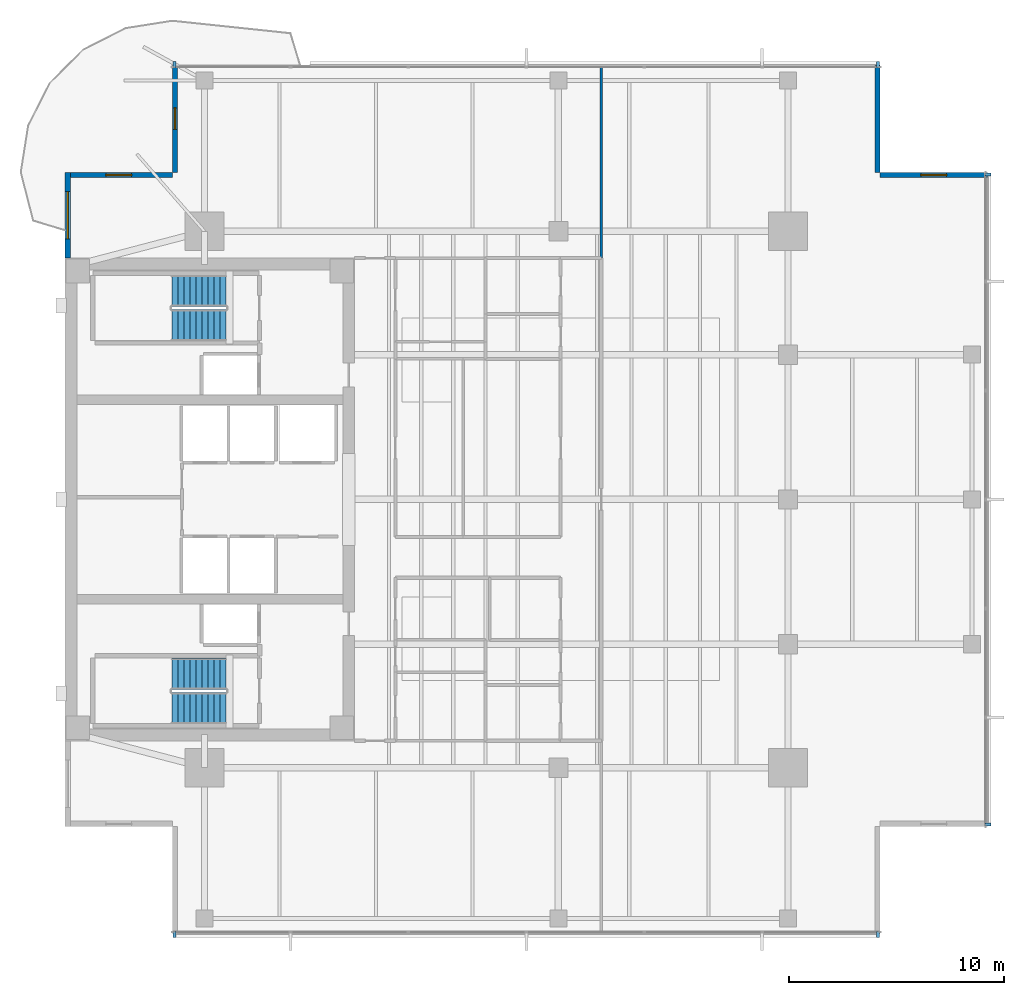
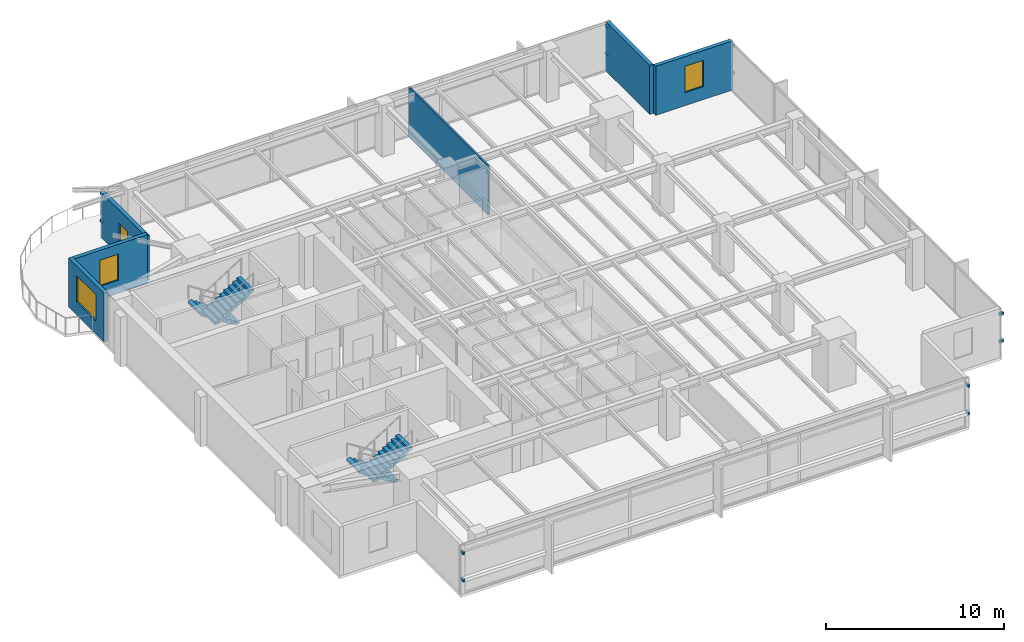
# One storey, part 10 of 14: 12 discrete accessories, 6 walls, 4 stair flights, 3 windows, 1 door, 4 openings, 2 elements without a shape of their own.
"""IFC4 building model written with IfcOpenShell, lengths in metres."""

from ifc_helpers import new_model, si_unit, direction, frame, frame_2d, origin, origin_2d, place, context, subcontext, project, spatial, polyline, rectangle, outline, extrude, material, layer, layer_set, type_object, element, fill, aggregate, save


model = new_model("IFC4")

# Units and contexts
model_context = context("Model", 3, precision=1e-05, world=origin(), true_north=direction((0.0, 1.0)))
body_context = subcontext(model_context, "Body", "Model", "MODEL_VIEW")
ifc_project = project(units=[si_unit("LENGTHUNIT", "METRE"), si_unit("AREAUNIT", "SQUARE_METRE"), si_unit("VOLUMEUNIT", "CUBIC_METRE"), si_unit("PLANEANGLEUNIT", "RADIAN"), si_unit("MASSUNIT", "GRAM", prefix="KILO")], contexts=[model_context])

# Site, building, storey
site_placement = place(None, origin())
site = spatial("IfcSite", under=ifc_project, at=site_placement, CompositionType="ELEMENT")
building_placement = place(site_placement, origin())
building = spatial("IfcBuilding", under=site, at=building_placement, Name="Kinhvarn Gate Tower", CompositionType="ELEMENT")
storey_placement = place(building_placement, frame((0.0, 0.0, 198.699951171875)))
storey = spatial("IfcBuildingStorey", under=building, at=storey_placement, Name="L52", CompositionType="ELEMENT", Elevation=198.699951171875)

# Wall, opening, window
ifc_material_1 = material(Name="Fired architectural terracotta", Category="masonry")
ifc_layer_1 = layer(ifc_material_1, 0.25)
ifc_layer_set_1 = layer_set([ifc_layer_1], Name="Fired architectural terracotta")
wall_type_1 = type_object("IfcWallType", Name="WL-EXT-250", PredefinedType="SOLIDWALL", material=ifc_layer_set_1)
wall_1_placement = place(storey_placement, frame((4.625, 40.5, 0.0), z_axis=(0.0, 0.0, 1.0), x_axis=(0.0, -1.0, 0.0)))
wall_1 = element("IfcWall", 1, at=wall_1_placement, inside=storey, type_object=wall_type_1, Name="Exterior Solidwall Wall EW-250 (L52 West-North)", PredefinedType="SOLIDWALL", context=body_context, shape_type="SweptSolid", body=[
    extrude(rectangle(XDim=4.0, YDim=0.25, at=frame_2d((2.0, 0.0))), origin(), (0.0, 0.0, 1.0), 3.3701171875),
])
opening_1_placement = place(wall_1_placement, frame((0.89990234375, 0.0, 0.89990234375)))
opening_1 = element("IfcOpeningElement", 2, at=opening_1_placement, cuts=wall_1, Name="Opening WN-01", PredefinedType="OPENING", context=body_context, shape_type="SweptSolid", body=[
    extrude(rectangle(XDim=2.199951171875, YDim=1.800048828125, at=frame_2d((1.10009765625, 0.89990234375))), frame((0.0, 0.135009765625, 0.0), z_axis=(0.0, -1.0, 0.0), x_axis=(1.0, 0.0, 0.0)), (0.0, 0.0, 1.0), 0.27001953125),
])
ifc_material_2 = material(Name="Clear low-e double glazing", Category="glass")
window_type_1 = type_object("IfcWindowType", Name="WIN-RIB-2200", PartitioningType="SINGLE_PANEL", PredefinedType="WINDOW", material=ifc_material_2)
window_1_placement = place(opening_1_placement, origin())
window_1 = element("IfcWindow", 3, at=window_1_placement, inside=storey, type_object=window_type_1, Name="West Flank Double-Glazed Ribbon Window 2200x1800 mm (L52)", OverallHeight=1.800048828125, OverallWidth=2.199951171875, PartitioningType="SINGLE_PANEL", PredefinedType="WINDOW", context=body_context, shape_type="SweptSolid", body=[
    extrude(rectangle(XDim=2.199951171875, YDim=1.800048828125, at=frame_2d((1.10009765625, 0.89990234375))), frame((0.0, 0.030029296875, 0.0), z_axis=(0.0, -1.0, 0.0), x_axis=(1.0, 0.0, 0.0)), (0.0, 0.0, 1.0), 0.06005859375),
])
fill(opening_1, window_1)

wall_2_placement = place(storey_placement, frame((47.5, 40.375, 0.0), z_axis=(0.0, 0.0, 1.0), x_axis=(-1.0, 0.0, 0.0)))
wall_2 = element("IfcWall", 4, at=wall_2_placement, inside=storey, type_object=wall_type_1, Name="Exterior Solidwall Wall EW-250 (L52 NE-Notch-1)", PredefinedType="SOLIDWALL", context=body_context, shape_type="SweptSolid", body=[
    extrude(rectangle(XDim=5.0, YDim=0.25, at=frame_2d((2.5, 0.0))), origin(), (0.0, 0.0, 1.0), 3.3701171875),
])
opening_2_placement = place(wall_2_placement, frame((1.89990234375, 0.0, 0.89990234375)))
opening_2 = element("IfcOpeningElement", 5, at=opening_2_placement, cuts=wall_2, Name="Opening WN-02", PredefinedType="OPENING", context=body_context, shape_type="SweptSolid", body=[
    extrude(rectangle(XDim=1.199951171875, YDim=1.800048828125, at=frame_2d((0.60009765625, 0.89990234375))), frame((0.0, 0.135009765625, 0.0), z_axis=(0.0, -1.0, 0.0), x_axis=(1.0, 0.0, 0.0)), (0.0, 0.0, 1.0), 0.27001953125),
])
window_type_2 = type_object("IfcWindowType", Name="WIN-NTC-1200", PartitioningType="SINGLE_PANEL", PredefinedType="WINDOW", material=ifc_material_2)
window_2_placement = place(opening_2_placement, origin())
window_2 = element("IfcWindow", 6, at=window_2_placement, inside=storey, type_object=window_type_2, Name="Recessed Corner Notch Punched Window 1200x1800 mm (L52)", OverallHeight=1.800048828125, OverallWidth=1.199951171875, PartitioningType="SINGLE_PANEL", PredefinedType="WINDOW", context=body_context, shape_type="SweptSolid", body=[
    extrude(rectangle(XDim=1.199951171875, YDim=1.800048828125, at=frame_2d((0.60009765625, 0.89990234375))), frame((0.0, 0.030029296875, 0.0), z_axis=(0.0, -1.0, 0.0), x_axis=(1.0, 0.0, 0.0)), (0.0, 0.0, 1.0), 0.06005859375),
])
fill(opening_2, window_2)

# Wall
wall_3_placement = place(storey_placement, frame((42.375, 40.5, 0.0), z_axis=(0.0, 0.0, 1.0), x_axis=(0.0, 1.0, 0.0)))
element("IfcWall", 7, at=wall_3_placement, inside=storey, type_object=wall_type_1, Name="Exterior Solidwall Wall EW-250 (L52 NE-Notch-2)", PredefinedType="SOLIDWALL", context=body_context, shape_type="SweptSolid", body=[
    extrude(rectangle(XDim=5.0, YDim=0.25, at=frame_2d((2.5, 0.0))), origin(), (0.0, 0.0, 1.0), 3.3701171875),
])

# Wall, opening, door
wall_4_placement = place(storey_placement, frame((9.625, 45.5, 0.0), z_axis=(0.0, 0.0, 1.0), x_axis=(0.0, -1.0, 0.0)))
wall_4 = element("IfcWall", 8, at=wall_4_placement, inside=storey, type_object=wall_type_1, Name="Exterior Solidwall Wall EW-250 (L52 NW-Notch-Door)", PredefinedType="SOLIDWALL", context=body_context, shape_type="SweptSolid", body=[
    extrude(rectangle(XDim=5.0, YDim=0.25, at=frame_2d((2.5, 0.0))), origin(), (0.0, 0.0, 1.0), 3.10009765625),
])
opening_3_placement = place(wall_4_placement, frame((2.0, 0.0, 0.0)))
opening_3 = element("IfcOpeningElement", 9, at=opening_3_placement, cuts=wall_4, Name="Opening BD-01", PredefinedType="OPENING", context=body_context, shape_type="SweptSolid", body=[
    extrude(rectangle(XDim=1.0, YDim=2.199951171875, at=frame_2d((0.5, 1.10009765625))), frame((0.0, 0.135009765625, 0.0), z_axis=(0.0, -1.0, 0.0), x_axis=(1.0, 0.0, 0.0)), (0.0, 0.0, 1.0), 0.27001953125),
])
door_type = type_object("IfcDoorType", Name="DR-BAL-1000", OperationType="NOTDEFINED", PredefinedType="DOOR", material=ifc_material_2)
door_placement = place(opening_3_placement, frame((1.0, 0.0, 0.0), z_axis=(0.0, 0.0, 1.0), x_axis=(-1.0, 0.0, 0.0)))
door = element("IfcDoor", 10, at=door_placement, inside=storey, type_object=door_type, Name="S-Carve Balcony Door BD-01 (L52)", OperationType="SINGLE_SWING_RIGHT", OverallHeight=2.199951171875, OverallWidth=1.0, PredefinedType="DOOR", context=body_context, shape_type="SweptSolid", body=[
    extrude(rectangle(XDim=1.0, YDim=2.199951171875, at=frame_2d((0.5, 1.10009765625))), frame((0.0, 0.02490234375, 0.0), z_axis=(0.0, -1.0, 0.0), x_axis=(1.0, 0.0, 0.0)), (0.0, 0.0, 1.0), 0.050048828125),
])
fill(opening_3, door)

# Wall, opening, window
wall_5_placement = place(storey_placement, frame((9.5, 40.375, 0.0), z_axis=(0.0, 0.0, 1.0), x_axis=(-1.0, 0.0, 0.0)))
wall_5 = element("IfcWall", 11, at=wall_5_placement, inside=storey, type_object=wall_type_1, Name="Exterior Solidwall Wall EW-250 (L52 NW-Notch-Win)", PredefinedType="SOLIDWALL", context=body_context, shape_type="SweptSolid", body=[
    extrude(rectangle(XDim=5.0, YDim=0.25, at=frame_2d((2.5, 0.0))), origin(), (0.0, 0.0, 1.0), 3.3701171875),
])
opening_4_placement = place(wall_5_placement, frame((1.89990234375, 0.0, 0.89990234375)))
opening_4 = element("IfcOpeningElement", 12, at=opening_4_placement, cuts=wall_5, Name="Opening WN-02", PredefinedType="OPENING", context=body_context, shape_type="SweptSolid", body=[
    extrude(rectangle(XDim=1.199951171875, YDim=1.800048828125, at=frame_2d((0.60009765625, 0.89990234375))), frame((0.0, 0.135009765625, 0.0), z_axis=(0.0, -1.0, 0.0), x_axis=(1.0, 0.0, 0.0)), (0.0, 0.0, 1.0), 0.27001953125),
])
window_3_placement = place(opening_4_placement, origin())
window_3 = element("IfcWindow", 13, at=window_3_placement, inside=storey, type_object=window_type_2, Name="Recessed Corner Notch Punched Window 1200x1800 mm (L52)", OverallHeight=1.800048828125, OverallWidth=1.199951171875, PartitioningType="SINGLE_PANEL", PredefinedType="WINDOW", context=body_context, shape_type="SweptSolid", body=[
    extrude(rectangle(XDim=1.199951171875, YDim=1.800048828125, at=frame_2d((0.60009765625, 0.89990234375))), frame((0.0, 0.030029296875, 0.0), z_axis=(0.0, -1.0, 0.0), x_axis=(1.0, 0.0, 0.0)), (0.0, 0.0, 1.0), 0.06005859375),
])
fill(opening_4, window_3)

# Wall
ifc_material_3 = material(Name="Gypsum acoustic partition board")
ifc_layer_2 = layer(ifc_material_3, 0.1201171875)
ifc_layer_set_2 = layer_set([ifc_layer_2], Name="Gypsum acoustic partition board")
wall_type_2 = type_object("IfcWallType", Name="WL-PRT-120", PredefinedType="PARTITIONING", material=ifc_layer_set_2)
wall_6_placement = place(storey_placement, frame((29.5, 36.5, 0.0), z_axis=(0.0, 0.0, 1.0), x_axis=(0.0, 1.0, 0.0)))
element("IfcWall", 14, at=wall_6_placement, inside=storey, type_object=wall_type_2, Name="Interior Partition PW-120 (L52)", PredefinedType="PARTITIONING", context=body_context, shape_type="SweptSolid", body=[
    extrude(rectangle(XDim=8.989990234375, YDim=0.1201171875, at=frame_2d((4.4951171875, 0.0))), origin(), (0.0, 0.0, 1.0), 3.3701171875),
])

# Stair, stair flights
ifc_material_4 = material(Name="Concrete C40/50", Category="concrete")
stair_type = type_object("IfcStairType", Name="STR-DLG-178", PredefinedType="HALF_TURN_STAIR", material=ifc_material_4)
stair_1_placement = place(storey_placement, origin())
stair_1 = element("IfcStair", 15, at=stair_1_placement, inside=storey, type_object=stair_type, Name="L52 Core Smokeproof Exit Stair ST1", PredefinedType="HALF_TURN_STAIR")
stair_flight_type = type_object("IfcStairFlightType", Name="STF-DLG-178", PredefinedType="STRAIGHT", material=ifc_material_4)
stair_flight_1_placement = place(storey_placement, frame((12.0, 17.125, 0.0), z_axis=(0.0, 0.0, 1.0), x_axis=(-1.0, 0.0, 0.0)))
stair_flight_1 = element("IfcStairFlight", 16, at=stair_flight_1_placement, type_object=stair_flight_type, Name="ST1 flight 1", NumberOfRisers=10, NumberOfTreads=9, PredefinedType="STRAIGHT", RiserHeight=0.1775, TreadLength=0.28, context=body_context, shape_type="SweptSolid", body=[
    extrude(outline(polyline([(0.0, 0.0), (0.0, 0.177490234375), (0.280029296875, 0.177490234375), (0.280029296875, 0.35498046875), (0.56005859375, 0.35498046875), (0.56005859375, 0.532470703125), (0.840087890625, 0.532470703125), (0.840087890625, 0.7099609375), (1.1201171875, 0.7099609375), (1.1201171875, 0.887451171875), (1.39990234375, 0.887451171875), (1.39990234375, 1.06494140625), (1.679931640625, 1.06494140625), (1.679931640625, 1.242431640625), (1.9599609375, 1.242431640625), (1.9599609375, 1.419921875), (2.239990234375, 1.419921875), (2.239990234375, 1.597412109375), (2.52001953125, 1.597412109375), (2.52001953125, 1.77490234375), (2.52001953125, 1.419921875), (0.280029296875, 0.0), (0.0, 0.0)])), frame((0.0, 0.72509765625, 0.0), z_axis=(0.0, -1.0, 0.0), x_axis=(1.0, 0.0, 0.0)), (0.0, 0.0, 1.0), 1.449951171875),
])
stair_flight_2_placement = place(storey_placement, frame((9.47998046875, 15.52490234375, 1.775146484375), z_axis=(0.0, 0.0, 1.0), x_axis=(1.0, 0.0, 0.0)))
stair_flight_2 = element("IfcStairFlight", 17, at=stair_flight_2_placement, type_object=stair_flight_type, Name="ST1 flight 2", NumberOfRisers=10, NumberOfTreads=9, PredefinedType="STRAIGHT", RiserHeight=0.1775, TreadLength=0.28, context=body_context, shape_type="SweptSolid", body=[
    extrude(outline(polyline([(0.0, 0.0), (0.0, 0.177490234375), (0.280029296875, 0.177490234375), (0.280029296875, 0.35498046875), (0.56005859375, 0.35498046875), (0.56005859375, 0.532470703125), (0.840087890625, 0.532470703125), (0.840087890625, 0.7099609375), (1.1201171875, 0.7099609375), (1.1201171875, 0.887451171875), (1.39990234375, 0.887451171875), (1.39990234375, 1.06494140625), (1.679931640625, 1.06494140625), (1.679931640625, 1.242431640625), (1.9599609375, 1.242431640625), (1.9599609375, 1.419921875), (2.239990234375, 1.419921875), (2.239990234375, 1.597412109375), (2.52001953125, 1.597412109375), (2.52001953125, 1.77490234375), (2.52001953125, 1.419921875), (0.280029296875, 0.0), (0.0, 0.0)])), frame((0.0, 0.72509765625, 0.0), z_axis=(0.0, -1.0, 0.0), x_axis=(1.0, 0.0, 0.0)), (0.0, 0.0, 1.0), 1.449951171875),
])
aggregate(stair_1, [stair_flight_1, stair_flight_2])

stair_2_placement = place(storey_placement, origin())
stair_2 = element("IfcStair", 18, at=stair_2_placement, inside=storey, type_object=stair_type, Name="L52 Core Smokeproof Exit Stair ST2", PredefinedType="HALF_TURN_STAIR")
stair_flight_3_placement = place(storey_placement, frame((12.0, 34.97509765625, 0.0), z_axis=(0.0, 0.0, 1.0), x_axis=(-1.0, 0.0, 0.0)))
stair_flight_3 = element("IfcStairFlight", 19, at=stair_flight_3_placement, type_object=stair_flight_type, Name="ST2 flight 1", NumberOfRisers=10, NumberOfTreads=9, PredefinedType="STRAIGHT", RiserHeight=0.1775, TreadLength=0.28, context=body_context, shape_type="SweptSolid", body=[
    extrude(outline(polyline([(0.0, 0.0), (0.0, 0.177490234375), (0.280029296875, 0.177490234375), (0.280029296875, 0.35498046875), (0.56005859375, 0.35498046875), (0.56005859375, 0.532470703125), (0.840087890625, 0.532470703125), (0.840087890625, 0.7099609375), (1.1201171875, 0.7099609375), (1.1201171875, 0.887451171875), (1.39990234375, 0.887451171875), (1.39990234375, 1.06494140625), (1.679931640625, 1.06494140625), (1.679931640625, 1.242431640625), (1.9599609375, 1.242431640625), (1.9599609375, 1.419921875), (2.239990234375, 1.419921875), (2.239990234375, 1.597412109375), (2.52001953125, 1.597412109375), (2.52001953125, 1.77490234375), (2.52001953125, 1.419921875), (0.280029296875, 0.0), (0.0, 0.0)])), frame((0.0, 0.72509765625, 0.0), z_axis=(0.0, -1.0, 0.0), x_axis=(1.0, 0.0, 0.0)), (0.0, 0.0, 1.0), 1.449951171875),
])
stair_flight_4_placement = place(storey_placement, frame((9.47998046875, 33.375, 1.775146484375), z_axis=(0.0, 0.0, 1.0), x_axis=(1.0, 0.0, 0.0)))
stair_flight_4 = element("IfcStairFlight", 20, at=stair_flight_4_placement, type_object=stair_flight_type, Name="ST2 flight 2", NumberOfRisers=10, NumberOfTreads=9, PredefinedType="STRAIGHT", RiserHeight=0.1775, TreadLength=0.28, context=body_context, shape_type="SweptSolid", body=[
    extrude(outline(polyline([(0.0, 0.0), (0.0, 0.177490234375), (0.280029296875, 0.177490234375), (0.280029296875, 0.35498046875), (0.56005859375, 0.35498046875), (0.56005859375, 0.532470703125), (0.840087890625, 0.532470703125), (0.840087890625, 0.7099609375), (1.1201171875, 0.7099609375), (1.1201171875, 0.887451171875), (1.39990234375, 0.887451171875), (1.39990234375, 1.06494140625), (1.679931640625, 1.06494140625), (1.679931640625, 1.242431640625), (1.9599609375, 1.242431640625), (1.9599609375, 1.419921875), (2.239990234375, 1.419921875), (2.239990234375, 1.597412109375), (2.52001953125, 1.597412109375), (2.52001953125, 1.77490234375), (2.52001953125, 1.419921875), (0.280029296875, 0.0), (0.0, 0.0)])), frame((0.0, 0.72509765625, 0.0), z_axis=(0.0, -1.0, 0.0), x_axis=(1.0, 0.0, 0.0)), (0.0, 0.0, 1.0), 1.449951171875),
])
aggregate(stair_2, [stair_flight_3, stair_flight_4])

# Discrete accessories
ifc_material_5 = material(Name="Anodised aluminium AW-6063", Category="aluminium")
discrete_accessory_type = type_object("IfcDiscreteAccessoryType", Name="ACC-BRK-01", PredefinedType="BRACKET", material=ifc_material_5)
for number, where, z_axis, x_axis, name in (
    (21, (9.60009765625, 4.969970703125, 0.9599609375), (0.0, 0.0, 1.0), (1.0, 0.0, 0.0), "Baguette Support Bracket BK-01 (L52)"),
    (22, (9.60009765625, 4.969970703125, 2.830078125), (0.0, 0.0, 1.0), (1.0, 0.0, 0.0), "Baguette Support Bracket BK-01 (L52)"),
    (23, (42.39990234375, 4.969970703125, 0.9599609375), (0.0, 0.0, 1.0), (1.0, 0.0, 0.0), "Baguette Support Bracket BK-01 (L52)"),
    (24, (42.39990234375, 4.969970703125, 2.830078125), (0.0, 0.0, 1.0), (1.0, 0.0, 0.0), "Baguette Support Bracket BK-01 (L52)"),
    (25, (42.39990234375, 45.530029296875, 0.9599609375), (0.0, 0.0, 1.0), (-1.0, 0.0, 0.0), "Baguette Support Bracket BK-01 (L52)"),
    (26, (42.39990234375, 45.530029296875, 2.830078125), (0.0, 0.0, 1.0), (-1.0, 0.0, 0.0), "Baguette Support Bracket BK-01 (L52)"),
    (27, (9.60009765625, 45.530029296875, 0.9599609375), (0.0, 0.0, 1.0), (-1.0, 0.0, 0.0), "Baguette Support Bracket BK-01 (L52)"),
    (28, (9.60009765625, 45.530029296875, 2.830078125), (0.0, 0.0, 1.0), (-1.0, 0.0, 0.0), "Baguette Support Bracket BK-01 (L52)"),
    (29, (47.530029296875, 10.10009765625, 0.9599609375), (0.0, 0.0, 1.0), (0.0, 1.0, 0.0), "Baguette Support Bracket BK-01 (L52)"),
    (30, (47.530029296875, 10.10009765625, 2.830078125), (0.0, 0.0, 1.0), (0.0, 1.0, 0.0), "Baguette Support Bracket BK-01 (L52)"),
    (31, (47.530029296875, 40.39990234375, 0.9599609375), (0.0, 0.0, 1.0), (0.0, 1.0, 0.0), "Baguette Support Bracket BK-01 (L52)"),
    (32, (47.530029296875, 40.39990234375, 2.830078125), (0.0, 0.0, 1.0), (0.0, 1.0, 0.0), "Baguette Support Bracket BK-01 (L52)"),
):
    element("IfcDiscreteAccessory", number, at=place(storey_placement, frame(where, z_axis=z_axis, x_axis=x_axis)), inside=storey, type_object=discrete_accessory_type, Name=name, PredefinedType="BRACKET", context=body_context, shape_type="SweptSolid", body=[
        extrude(rectangle(XDim=0.139892578125, YDim=0.280029296875, at=origin_2d()), origin(), (0.0, 0.0, 1.0), 0.179931640625),
    ])

save(model, "model.ifc")
